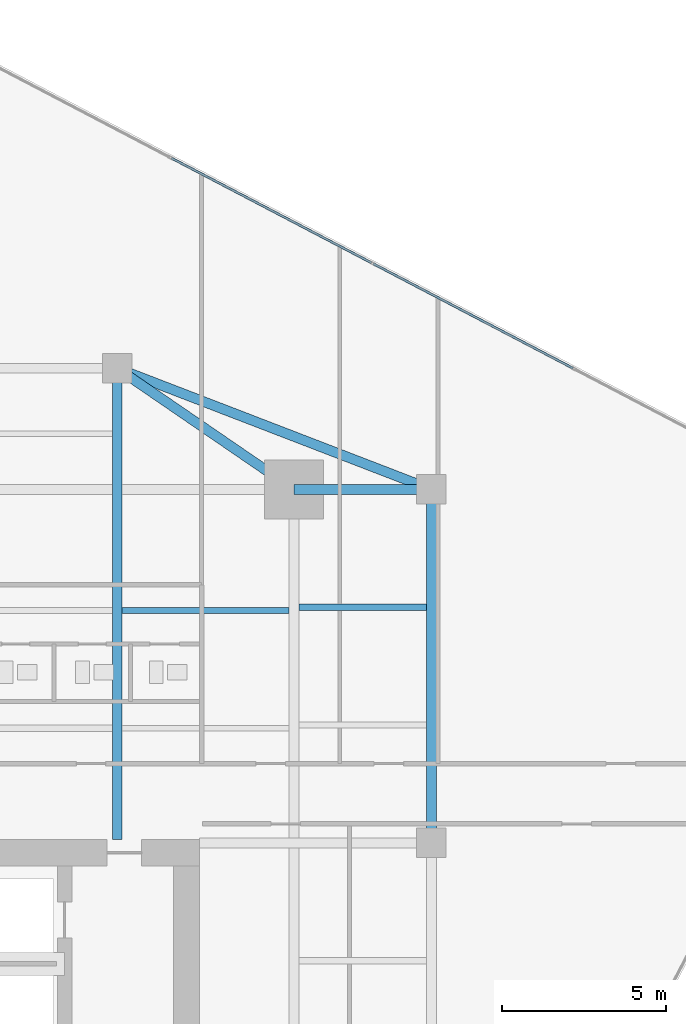
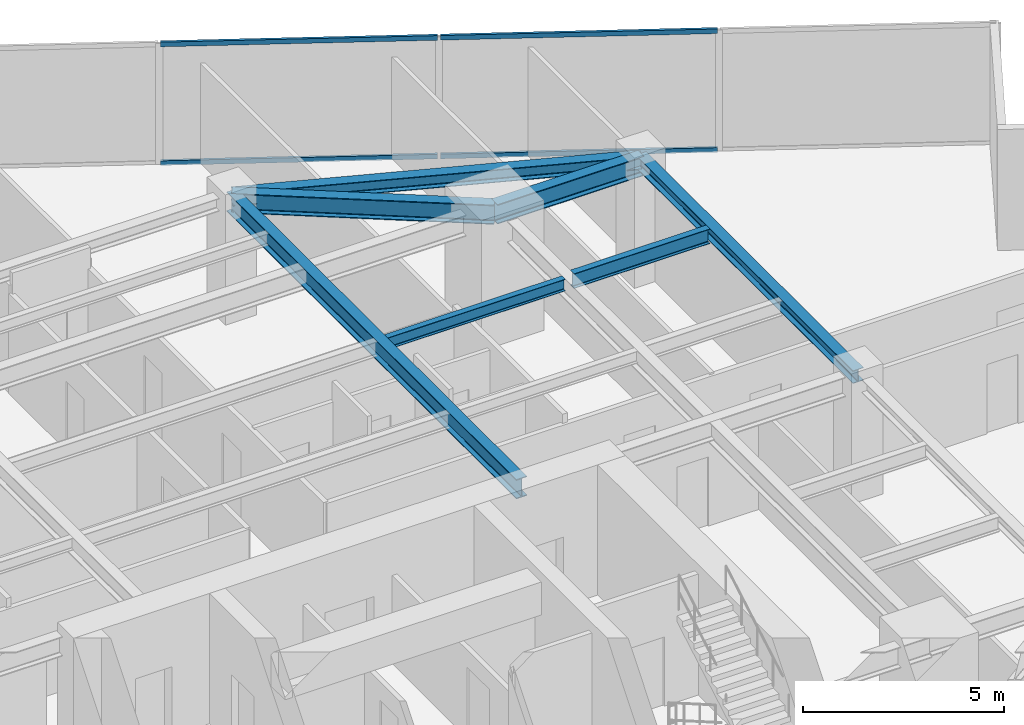
# One storey, part 18 of 27: 7 beams, 4 members, 1 element without a shape of its own.
"""IFC4 building model written with IfcOpenShell, lengths in metres."""

from ifc_helpers import new_model, si_unit, direction, frame, origin, origin_2d, place, context, subcontext, project, spatial, hollow_rectangle, i_section, extrude, source, transform, mapped, material, material_profile, profile_set, type_object, type_shapes, element, aggregate, save


model = new_model("IFC4")

# Units and contexts
model_context = context("Model", 3, precision=1e-05, world=origin(), true_north=direction((0.0, 1.0)))
body_context = subcontext(model_context, "Body", "Model", "MODEL_VIEW")
ifc_project = project(units=[si_unit("LENGTHUNIT", "METRE"), si_unit("AREAUNIT", "SQUARE_METRE"), si_unit("VOLUMEUNIT", "CUBIC_METRE"), si_unit("PLANEANGLEUNIT", "RADIAN"), si_unit("MASSUNIT", "GRAM", prefix="KILO")], contexts=[model_context])

# Site, building, storey
site_placement = place(None, origin())
site = spatial("IfcSite", under=ifc_project, at=site_placement, CompositionType="ELEMENT")
building_placement = place(site_placement, origin())
building = spatial("IfcBuilding", under=site, at=building_placement, Name="Krantzveldt Concourse Tower", CompositionType="ELEMENT")
storey_placement = place(building_placement, frame((0.0, 0.0, 158.050048828125)))
storey = spatial("IfcBuildingStorey", under=building, at=storey_placement, Name="L38", CompositionType="ELEMENT", Elevation=158.050048828125)

# Beams
ifc_material_1 = material(Name="Steel S355JR", Category="steel")
ifc_material_profile_1 = material_profile(ifc_material_1, i_section(OverallWidth=0.300048828125, OverallDepth=0.590087890625, WebThickness=0.012939453125, FlangeThickness=0.02490234375, FilletRadius=0.027099609375, at=origin_2d()), Name="Steel S355JR", Category="steel")
ifc_profile_set_1 = profile_set([ifc_material_profile_1], Name="Steel S355JR - HEA 600")
beam_type_1 = type_object("IfcBeamType", Name="BM-B-HEA600", PredefinedType="BEAM", material=ifc_profile_set_1)
shared_shape_1 = source(origin(), body_context, "Body", "SweptSolid", [
    extrude(i_section(OverallWidth=0.300048828125, OverallDepth=0.590087890625, WebThickness=0.012939453125, FlangeThickness=0.02490234375, FilletRadius=0.027099609375, at=origin_2d()), origin(), (0.0, 0.0, 1.0), 14.39990234375),
])
beam_1_placement = place(storey_placement, frame((41.39990234375, 26.800048828125, 3.375), z_axis=(0.0, 1.0, 0.0), x_axis=(-1.0, 0.0, 0.0)))
element("IfcBeam", 1, at=beam_1_placement, inside=storey, type_object=beam_type_1, Name="L38 Tower Girder BG-CNE", PredefinedType="BEAM", context=body_context, shape_type="MappedRepresentation", body=[
    mapped(shared_shape_1, transform((0.0, 0.0, 0.0), x_axis=(1.0, 0.0, 0.0), y_axis=(0.0, 1.0, 0.0), z_axis=(0.0, 0.0, 1.0), scale=1.0)),
])
shared_shape_2 = source(origin(), body_context, "Body", "SweptSolid", [
    extrude(i_section(OverallWidth=0.300048828125, OverallDepth=0.590087890625, WebThickness=0.012939453125, FlangeThickness=0.02490234375, FilletRadius=0.027099609375, at=origin_2d()), origin(), (0.0, 0.0, 1.0), 4.199951171875),
])
beam_2_placement = place(storey_placement, frame((46.800048828125, 37.5, 3.375), z_axis=(1.0, 0.0, 0.0), x_axis=(0.0, 1.0, 0.0)))
element("IfcBeam", 2, at=beam_2_placement, inside=storey, type_object=beam_type_1, Name="L38 Tower Girder BR-RR3", PredefinedType="BEAM", context=body_context, shape_type="MappedRepresentation", body=[
    mapped(shared_shape_2, transform((0.0, 0.0, 0.0), x_axis=(1.0, 0.0, 0.0), y_axis=(0.0, 1.0, 0.0), z_axis=(0.0, 0.0, 1.0), scale=1.0)),
])
shared_shape_3 = source(origin(), body_context, "Body", "SweptSolid", [
    extrude(i_section(OverallWidth=0.300048828125, OverallDepth=0.590087890625, WebThickness=0.012939453125, FlangeThickness=0.02490234375, FilletRadius=0.027099609375, at=origin_2d()), origin(), (0.0, 0.0, 1.0), 6.546142578125),
])
type_shapes(beam_type_1, [shared_shape_1, shared_shape_2, shared_shape_3])
beam_3_placement = place(storey_placement, frame((46.800048828125, 37.5, 3.375), z_axis=(-0.824942999484, 0.565215930068, 0.0), x_axis=(-0.565215930068, -0.824942999484, 0.0)))
element("IfcBeam", 3, at=beam_3_placement, inside=storey, type_object=beam_type_1, Name="L38 Tower Girder BR-RR4", PredefinedType="BEAM", context=body_context, shape_type="MappedRepresentation", body=[
    mapped(shared_shape_3, transform((0.0, 0.0, 0.0), x_axis=(1.0, 0.0, 0.0), y_axis=(0.0, 1.0, 0.0), z_axis=(0.0, 0.0, 1.0), scale=1.0)),
])
ifc_material_profile_2 = material_profile(ifc_material_1, i_section(OverallWidth=0.300048828125, OverallDepth=0.389892578125, WebThickness=0.010986328125, FlangeThickness=0.01904296875, FilletRadius=0.027099609375, at=origin_2d()), Name="Steel S355JR", Category="steel")
ifc_profile_set_2 = profile_set([ifc_material_profile_2], Name="Steel S355JR - HEA 400")
beam_type_2 = type_object("IfcBeamType", Name="BM-SP-HEA400", PredefinedType="SPANDREL", material=ifc_profile_set_2)
shared_shape_4 = source(origin(), body_context, "Body", "SweptSolid", [
    extrude(i_section(OverallWidth=0.300048828125, OverallDepth=0.389892578125, WebThickness=0.010986328125, FlangeThickness=0.01904296875, FilletRadius=0.027099609375, at=origin_2d()), origin(), (0.0, 0.0, 1.0), 10.800048828125),
])
beam_4_placement = place(storey_placement, frame((51.0, 37.5, 3.474853515625), z_axis=(0.0, -1.0, 0.0), x_axis=(1.0, 0.0, 0.0)))
element("IfcBeam", 4, at=beam_4_placement, inside=storey, type_object=beam_type_2, Name="L38 Tower Girder SP-R06", PredefinedType="SPANDREL", context=body_context, shape_type="MappedRepresentation", body=[
    mapped(shared_shape_4, transform((0.0, 0.0, 0.0), x_axis=(1.0, 0.0, 0.0), y_axis=(0.0, 1.0, 0.0), z_axis=(0.0, 0.0, 1.0), scale=1.0)),
])
shared_shape_5 = source(origin(), body_context, "Body", "SweptSolid", [
    extrude(i_section(OverallWidth=0.300048828125, OverallDepth=0.389892578125, WebThickness=0.010986328125, FlangeThickness=0.01904296875, FilletRadius=0.027099609375, at=origin_2d()), origin(), (0.0, 0.0, 1.0), 10.288330078125),
])
type_shapes(beam_type_2, [shared_shape_4, shared_shape_5])
beam_5_placement = place(storey_placement, frame((41.39990234375, 41.199951171875, 3.474853515625), z_axis=(0.933097690408, -0.359622997257, 0.0), x_axis=(0.359622997257, 0.933097690408, 0.0)))
element("IfcBeam", 5, at=beam_5_placement, inside=storey, type_object=beam_type_2, Name="L38 Tower Girder SP-R05", PredefinedType="SPANDREL", context=body_context, shape_type="MappedRepresentation", body=[
    mapped(shared_shape_5, transform((0.0, 0.0, 0.0), x_axis=(1.0, 0.0, 0.0), y_axis=(0.0, 1.0, 0.0), z_axis=(0.0, 0.0, 1.0), scale=1.0)),
])
ifc_material_profile_3 = material_profile(ifc_material_1, i_section(OverallWidth=0.169921875, OverallDepth=0.360107421875, WebThickness=0.008056640625, FlangeThickness=0.0126953125, FilletRadius=0.01806640625, at=origin_2d()), Name="Steel S355JR", Category="steel")
ifc_profile_set_3 = profile_set([ifc_material_profile_3], Name="Steel S355JR - IPE 360")
beam_type_3 = type_object("IfcBeamType", Name="BM-J-IPE360", PredefinedType="JOIST", material=ifc_profile_set_3)
shared_shape_6 = source(origin(), body_context, "Body", "SweptSolid", [
    extrude(i_section(OverallWidth=0.169921875, OverallDepth=0.360107421875, WebThickness=0.008056640625, FlangeThickness=0.0126953125, FilletRadius=0.01806640625, at=origin_2d()), origin(), (0.0, 0.0, 1.0), 5.099853515625),
])
type_shapes(beam_type_3, [shared_shape_6])
beam_6_placement = place(storey_placement, frame((41.550048828125, 33.800048828125, 3.489990234375), z_axis=(1.0, 0.0, 0.0), x_axis=(0.0, 1.0, 0.0)))
element("IfcBeam", 6, at=beam_6_placement, inside=storey, type_object=beam_type_3, Name="L38 Secondary Floor Joist JN-E2", PredefinedType="JOIST", context=body_context, shape_type="MappedRepresentation", body=[
    mapped(shared_shape_6, transform((0.0, 0.0, 0.0), x_axis=(1.0, 0.0, 0.0), y_axis=(0.0, 1.0, 0.0), z_axis=(0.0, 0.0, 1.0), scale=1.0)),
])
ifc_material_profile_4 = material_profile(ifc_material_1, i_section(OverallWidth=0.18994140625, OverallDepth=0.449951171875, WebThickness=0.009521484375, FlangeThickness=0.0146484375, FilletRadius=0.02099609375, at=origin_2d()), Name="Steel S355JR", Category="steel")
ifc_profile_set_4 = profile_set([ifc_material_profile_4], Name="Steel S355JR - IPE 450")
beam_type_4 = type_object("IfcBeamType", Name="BM-J-IPE450", PredefinedType="JOIST", material=ifc_profile_set_4)
shared_shape_7 = source(origin(), body_context, "Body", "SweptSolid", [
    extrude(i_section(OverallWidth=0.18994140625, OverallDepth=0.449951171875, WebThickness=0.009521484375, FlangeThickness=0.0146484375, FilletRadius=0.02099609375, at=origin_2d()), origin(), (0.0, 0.0, 1.0), 3.900146484375),
])
type_shapes(beam_type_4, [shared_shape_7])
beam_7_placement = place(storey_placement, frame((46.949951171875, 33.89990234375, 3.445068359375), z_axis=(1.0, 0.0, 0.0), x_axis=(0.0, 1.0, 0.0)))
element("IfcBeam", 7, at=beam_7_placement, inside=storey, type_object=beam_type_4, Name="L38 Secondary Floor Joist JE-4", PredefinedType="JOIST", context=body_context, shape_type="MappedRepresentation", body=[
    mapped(shared_shape_7, transform((0.0, 0.0, 0.0), x_axis=(1.0, 0.0, 0.0), y_axis=(0.0, 1.0, 0.0), z_axis=(0.0, 0.0, 1.0), scale=1.0)),
])

# Curtain wall, members
ifc_material_2 = material(Name="Anodised aluminium 6063-T6", Category="aluminium")
curtain_wall_type = type_object("IfcCurtainWallType", Name="CW3", PredefinedType="USERDEFINED", material=ifc_material_2)
curtain_wall_placement = place(storey_placement, origin())
curtain_wall = element("IfcCurtainWall", 8, at=curtain_wall_placement, inside=storey, type_object=curtain_wall_type, Name="CW-L38-F10", ObjectType="UNITISED CURTAIN WALL", PredefinedType="USERDEFINED")
ifc_material_profile_5 = material_profile(ifc_material_2, hollow_rectangle(XDim=0.070068359375, YDim=0.139892578125, WallThickness=0.0048828125, at=origin_2d()), Name="Anodised aluminium 6063-T6", Category="aluminium")
ifc_profile_set_5 = profile_set([ifc_material_profile_5], Name="Anodised aluminium 6063-T6 - ALU-TRAN 140x70x5")
member_type = type_object("IfcMemberType", Name="CW-TRN-150", PredefinedType="USERDEFINED", material=ifc_profile_set_5)
shared_shape_8 = source(origin(), body_context, "Body", "SweptSolid", [
    extrude(hollow_rectangle(XDim=0.070068359375, YDim=0.139892578125, WallThickness=0.0048828125, at=origin_2d()), origin(), (0.0, 0.0, 1.0), 6.89013671875),
])
member_1_placement = place(storey_placement, frame((49.165283203125, 44.42626953125, 0.034912109375), z_axis=(-0.88600416291, 0.463677283577, 0.0), x_axis=(-0.463677283577, -0.88600416291, 0.0)))
member_1 = element("IfcMember", 9, at=member_1_placement, type_object=member_type, Name="CW-Z34 transom 3.1", ObjectType="TRANSOM", PredefinedType="USERDEFINED", context=body_context, shape_type="MappedRepresentation", body=[
    mapped(shared_shape_8, transform((0.0, 0.0, 0.0), x_axis=(1.0, 0.0, 0.0), y_axis=(0.0, 1.0, 0.0), z_axis=(0.0, 0.0, 1.0), scale=1.0)),
])
member_2_placement = place(storey_placement, frame((49.165283203125, 44.42626953125, 3.635009765625), z_axis=(-0.88600416291, 0.463677283577, 0.0), x_axis=(-0.463677283577, -0.88600416291, 0.0)))
member_2 = element("IfcMember", 10, at=member_2_placement, type_object=member_type, Name="CW-Z34 transom 3.2", ObjectType="TRANSOM", PredefinedType="USERDEFINED", context=body_context, shape_type="MappedRepresentation", body=[
    mapped(shared_shape_8, transform((0.0, 0.0, 0.0), x_axis=(1.0, 0.0, 0.0), y_axis=(0.0, 1.0, 0.0), z_axis=(0.0, 0.0, 1.0), scale=1.0)),
])
shared_shape_9 = source(origin(), body_context, "Body", "SweptSolid", [
    extrude(hollow_rectangle(XDim=0.070068359375, YDim=0.139892578125, WallThickness=0.0048828125, at=origin_2d()), origin(), (0.0, 0.0, 1.0), 6.889892578125),
])
type_shapes(member_type, [shared_shape_8, shared_shape_9])
member_3_placement = place(storey_placement, frame((55.331787109375, 41.198974609375, 0.034912109375), z_axis=(-0.885996544559, 0.46369184059, 0.0), x_axis=(-0.46369184059, -0.885996544559, 0.0)))
member_3 = element("IfcMember", 11, at=member_3_placement, type_object=member_type, Name="CW-Z34 transom 2.1", ObjectType="TRANSOM", PredefinedType="USERDEFINED", context=body_context, shape_type="MappedRepresentation", body=[
    mapped(shared_shape_9, transform((0.0, 0.0, 0.0), x_axis=(1.0, 0.0, 0.0), y_axis=(0.0, 1.0, 0.0), z_axis=(0.0, 0.0, 1.0), scale=1.0)),
])
member_4_placement = place(storey_placement, frame((55.331787109375, 41.198974609375, 3.635009765625), z_axis=(-0.885996544559, 0.46369184059, 0.0), x_axis=(-0.46369184059, -0.885996544559, 0.0)))
member_4 = element("IfcMember", 12, at=member_4_placement, type_object=member_type, Name="CW-Z34 transom 2.2", ObjectType="TRANSOM", PredefinedType="USERDEFINED", context=body_context, shape_type="MappedRepresentation", body=[
    mapped(shared_shape_9, transform((0.0, 0.0, 0.0), x_axis=(1.0, 0.0, 0.0), y_axis=(0.0, 1.0, 0.0), z_axis=(0.0, 0.0, 1.0), scale=1.0)),
])
aggregate(curtain_wall, [member_3, member_4, member_1, member_2])

save(model, "model.ifc")
